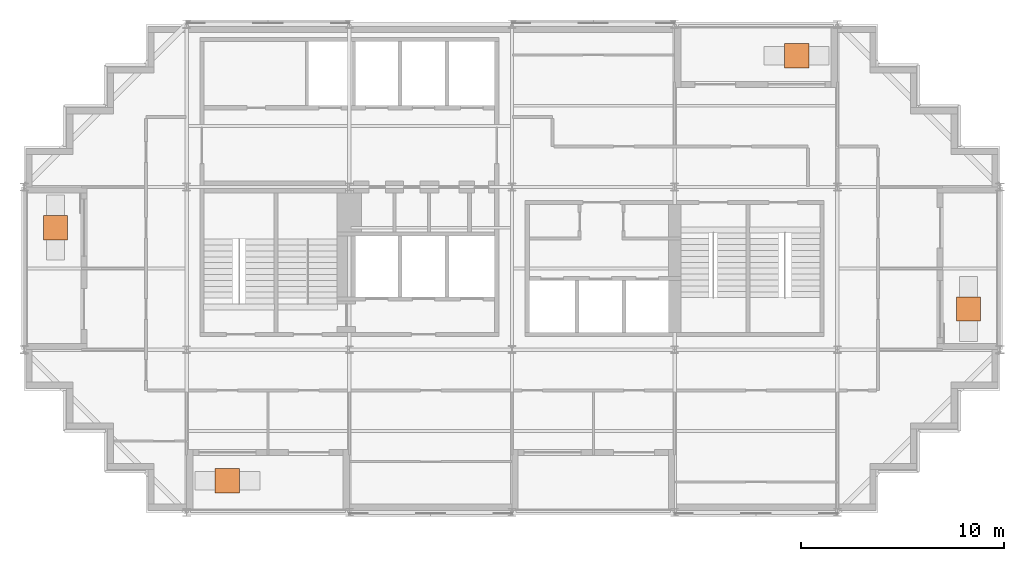
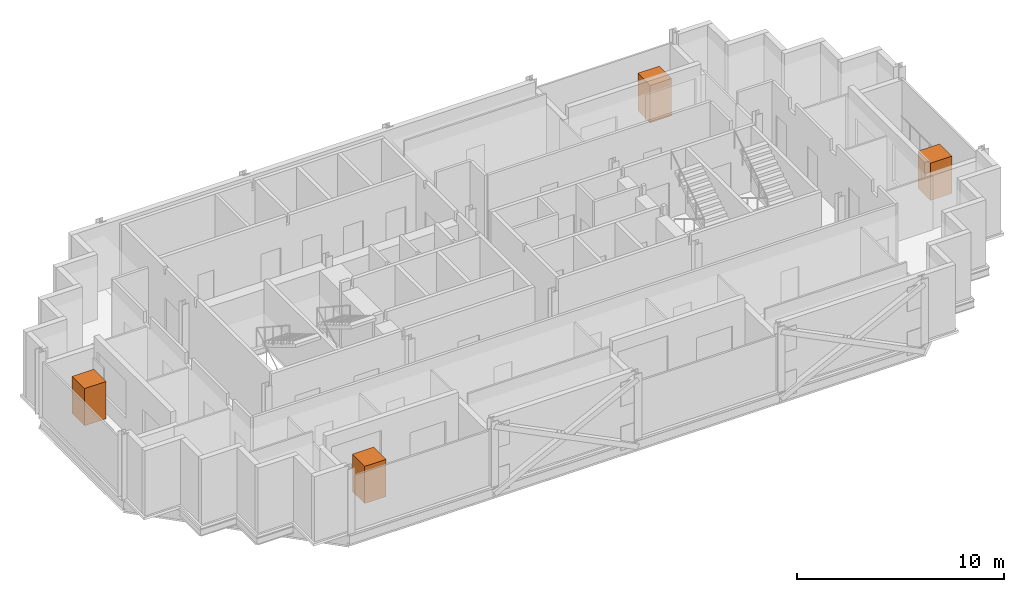
# One storey, part 10 of 10: 4 geographic elements.
"""IFC4 building model written with IfcOpenShell, lengths in metres."""

from ifc_helpers import new_model, si_unit, direction, frame, origin, origin_2d, place, context, subcontext, project, spatial, rectangle, extrude, material, type_object, element, save


model = new_model("IFC4")

# Units and contexts
model_context = context("Model", 3, precision=1e-05, world=origin(), true_north=direction((0.0, 1.0)))
body_context = subcontext(model_context, "Body", "Model", "MODEL_VIEW")
ifc_project = project(units=[si_unit("LENGTHUNIT", "METRE"), si_unit("AREAUNIT", "SQUARE_METRE"), si_unit("VOLUMEUNIT", "CUBIC_METRE"), si_unit("PLANEANGLEUNIT", "RADIAN"), si_unit("MASSUNIT", "GRAM", prefix="KILO")], contexts=[model_context])

# Site, building, storey
site_placement = place(None, origin())
site = spatial("IfcSite", under=ifc_project, at=site_placement, CompositionType="ELEMENT")
building_placement = place(site_placement, origin())
building = spatial("IfcBuilding", under=site, at=building_placement, Name="Immortelle Media Tower", CompositionType="ELEMENT")
storey_placement = place(building_placement, frame((0.0, 0.0, 251.0)))
storey = spatial("IfcBuildingStorey", under=building, at=storey_placement, Name="L54", CompositionType="ELEMENT", Elevation=251.0)

# Geographic elements
ifc_material = material(Name="Tree canopy foliage")
geographic_element_type = type_object("IfcGeographicElementType", Name="Tree", PredefinedType="USERDEFINED", material=ifc_material)
for number, where, z_axis, x_axis, name in (
    (1, (10.0, 1.550048828125, 0.60009765625), (0.0, 0.0, 1.0), (1.0, 0.0, 0.0), "Tree L54 S0"),
    (2, (46.449951171875, 10.0, 0.60009765625), (0.0, 0.0, 1.0), (1.0, 0.0, 0.0), "Tree L54 E0"),
    (3, (38.0, 22.449951171875, 0.60009765625), (0.0, 0.0, 1.0), (1.0, 0.0, 0.0), "Tree L54 N0"),
    (4, (1.550048828125, 14.0, 0.60009765625), (0.0, 0.0, 1.0), (1.0, 0.0, 0.0), "Tree L54 W0"),
):
    element("IfcGeographicElement", number, at=place(storey_placement, frame(where, z_axis=z_axis, x_axis=x_axis)), inside=storey, type_object=geographic_element_type, Name=name, ObjectType="Tree", PredefinedType="USERDEFINED", context=body_context, shape_type="SweptSolid", body=[
        extrude(rectangle(XDim=1.199951171875, YDim=1.199951171875, at=origin_2d()), origin(), (0.0, 0.0, 1.0), 2.199951171875),
    ])

save(model, "model.ifc")
